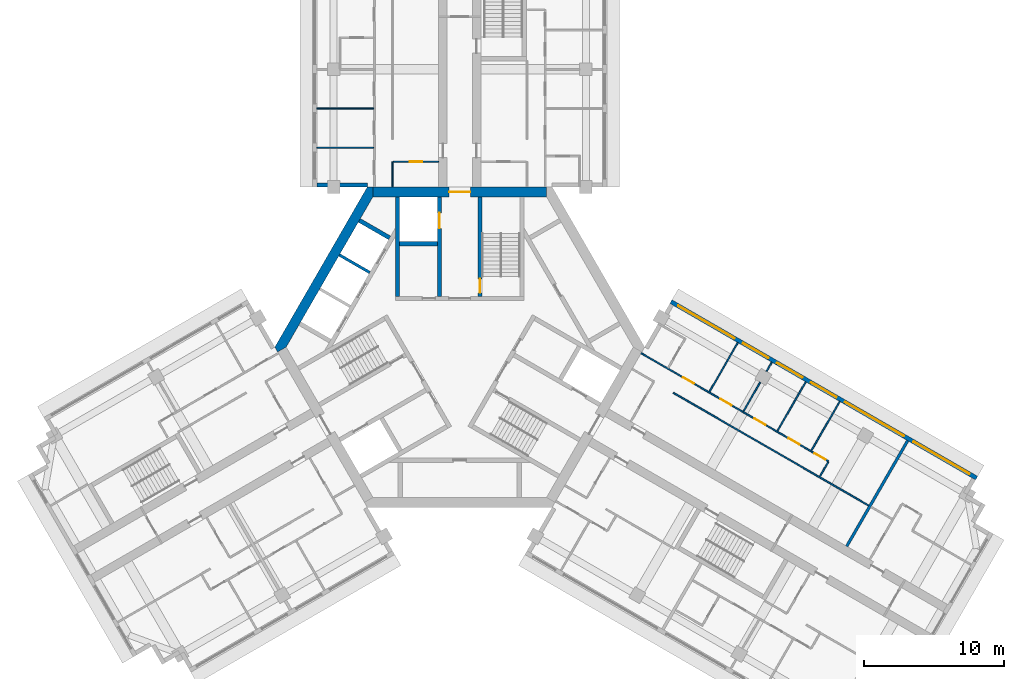
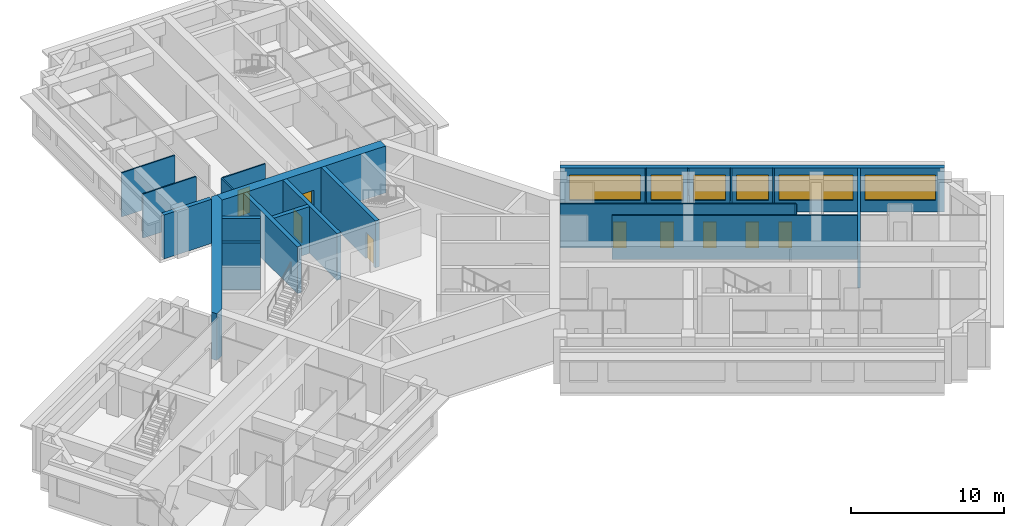
# One storey, part 6 of 10: 23 walls, 9 doors, 6 windows, 15 openings.
"""IFC4 building model written with IfcOpenShell, lengths in metres."""

from ifc_helpers import new_model, si_unit, direction, frame, frame_2d, origin, place, context, subcontext, project, spatial, polyline, rectangle, outline, extrude, material, layer, layer_set, type_object, element, fill, save


model = new_model("IFC4")

# Units and contexts
model_context = context("Model", 3, precision=1e-05, world=origin(), true_north=direction((0.0, 1.0)))
body_context = subcontext(model_context, "Body", "Model", "MODEL_VIEW")
ifc_project = project(units=[si_unit("LENGTHUNIT", "METRE"), si_unit("AREAUNIT", "SQUARE_METRE"), si_unit("VOLUMEUNIT", "CUBIC_METRE"), si_unit("PLANEANGLEUNIT", "RADIAN"), si_unit("MASSUNIT", "GRAM", prefix="KILO")], contexts=[model_context])

# Site, building, storey
site_placement = place(None, origin())
site = spatial("IfcSite", under=ifc_project, at=site_placement, CompositionType="ELEMENT")
building_placement = place(site_placement, origin())
building = spatial("IfcBuilding", under=site, at=building_placement, Name="Impinga Residences", CompositionType="ELEMENT")
storey_placement = place(building_placement, frame((0.0, 0.0, 229.75)))
storey = spatial("IfcBuildingStorey", under=building, at=storey_placement, Name="L57", CompositionType="ELEMENT", Elevation=229.75)

# Wall
ifc_material_1 = material(Name="Terracotta rainscreen on blockwork", Category="masonry")
ifc_layer_1 = layer(ifc_material_1, 0.300048828125)
ifc_layer_set_1 = layer_set([ifc_layer_1], Name="EW1 external wall, terracotta rainscreen on blockwork 300")
wall_type_1 = type_object("IfcWallType", Name="EW1 external wall, terracotta rainscreen on blockwork 300", PredefinedType="SOLIDWALL", material=ifc_layer_set_1)
wall_1_placement = place(storey_placement, frame((-6.60009765625, 11.58154296875, 0.0), z_axis=(0.0, 0.0, 1.0), x_axis=(-1.0, 0.0, 0.0)))
element("IfcWall", 1, at=wall_1_placement, inside=storey, type_object=wall_type_1, Name="External wall EW1 L57", PredefinedType="SOLIDWALL", context=body_context, shape_type="SweptSolid", body=[
    extrude(rectangle(XDim=3.599853515625, YDim=0.300048828125, at=frame_2d((1.7998046875, 0.0))), origin(), (0.0, 0.0, 1.0), 3.530029296875),
])

# Wall, openings, windows
wall_2_placement = place(storey_placement, frame((15.074951171875, 3.24755859375, 0.0), z_axis=(0.0, 0.0, 1.0), x_axis=(0.86602925447, -0.499993330357, 0.0)))
wall_2 = element("IfcWall", 2, at=wall_2_placement, inside=storey, type_object=wall_type_1, Name="External wall EW1 L57", PredefinedType="SOLIDWALL", context=body_context, shape_type="SweptSolid", body=[
    extrude(rectangle(XDim=25.199951171875, YDim=0.300048828125, at=frame_2d((12.60009765625, 0.0))), origin(), (0.0, 0.0, 1.0), 3.530029296875),
])
opening_1_placement = place(wall_2_placement, frame((0.60009765625, 0.0, 0.89990234375)))
opening_1 = element("IfcOpeningElement", 3, at=opening_1_placement, cuts=wall_2, Name="Opening W10", PredefinedType="OPENING", context=body_context, shape_type="SweptSolid", body=[
    extrude(rectangle(XDim=4.64990234375, YDim=2.050048828125, at=frame_2d((2.324951171875, 1.02490234375))), frame((0.0, 0.159912109375, 0.0), z_axis=(0.0, -1.0, 0.0), x_axis=(1.0, 0.0, 0.0)), (0.0, 0.0, 1.0), 0.320068359375),
])
opening_2_placement = place(wall_2_placement, frame((5.949951171875, 0.0, 0.89990234375)))
opening_2 = element("IfcOpeningElement", 4, at=opening_2_placement, cuts=wall_2, Name="Opening W9", PredefinedType="OPENING", context=body_context, shape_type="SweptSolid", body=[
    extrude(rectangle(XDim=2.10009765625, YDim=2.050048828125, at=frame_2d((1.050048828125, 1.02490234375))), frame((0.0, 0.159912109375, 0.0), z_axis=(0.0, -1.0, 0.0), x_axis=(1.0, 0.0, 0.0)), (0.0, 0.0, 1.0), 0.320068359375),
])
opening_3_placement = place(wall_2_placement, frame((8.75, 0.0, 0.89990234375)))
opening_3 = element("IfcOpeningElement", 5, at=opening_3_placement, cuts=wall_2, Name="Opening W9", PredefinedType="OPENING", context=body_context, shape_type="SweptSolid", body=[
    extrude(rectangle(XDim=2.10009765625, YDim=2.050048828125, at=frame_2d((1.050048828125, 1.02490234375))), frame((0.0, 0.159912109375, 0.0), z_axis=(0.0, -1.0, 0.0), x_axis=(1.0, 0.0, 0.0)), (0.0, 0.0, 1.0), 0.320068359375),
])
opening_4_placement = place(wall_2_placement, frame((11.550048828125, 0.0, 0.89990234375)))
opening_4 = element("IfcOpeningElement", 6, at=opening_4_placement, cuts=wall_2, Name="Opening W9", PredefinedType="OPENING", context=body_context, shape_type="SweptSolid", body=[
    extrude(rectangle(XDim=2.10009765625, YDim=2.050048828125, at=frame_2d((1.050048828125, 1.02490234375))), frame((0.0, 0.159912109375, 0.0), z_axis=(0.0, -1.0, 0.0), x_axis=(1.0, 0.0, 0.0)), (0.0, 0.0, 1.0), 0.320068359375),
])
opening_5_placement = place(wall_2_placement, frame((14.35009765625, 0.0, 0.89990234375)))
opening_5 = element("IfcOpeningElement", 7, at=opening_5_placement, cuts=wall_2, Name="Opening W6", PredefinedType="OPENING", context=body_context, shape_type="SweptSolid", body=[
    extrude(rectangle(XDim=4.85009765625, YDim=2.050048828125, at=frame_2d((2.425048828125, 1.02490234375))), frame((0.0, 0.159912109375, 0.0), z_axis=(0.0, -1.0, 0.0), x_axis=(1.0, 0.0, 0.0)), (0.0, 0.0, 1.0), 0.320068359375),
])
opening_6_placement = place(wall_2_placement, frame((20.0, 0.0, 0.89990234375)))
opening_6 = element("IfcOpeningElement", 8, at=opening_6_placement, cuts=wall_2, Name="Opening W3", PredefinedType="OPENING", context=body_context, shape_type="SweptSolid", body=[
    extrude(rectangle(XDim=4.60009765625, YDim=2.050048828125, at=frame_2d((2.300048828125, 1.02490234375))), frame((0.0, 0.159912109375, 0.0), z_axis=(0.0, -1.0, 0.0), x_axis=(1.0, 0.0, 0.0)), (0.0, 0.0, 1.0), 0.320068359375),
])
ifc_material_2 = material(Name="Aluminium window, clear double glazing", Category="aluminium")
window_type_1 = type_object("IfcWindowType", Name="W10 ribbon window 4650x2050", PartitioningType="SINGLE_PANEL", PredefinedType="WINDOW", material=ifc_material_2)
window_1_placement = place(opening_1_placement, origin())
window_1 = element("IfcWindow", 9, at=window_1_placement, inside=storey, type_object=window_type_1, Name="Window L57", OverallHeight=2.050048828125, OverallWidth=4.64990234375, PartitioningType="SINGLE_PANEL", PredefinedType="WINDOW", context=body_context, shape_type="SweptSolid", body=[
    extrude(rectangle(XDim=4.64990234375, YDim=2.050048828125, at=frame_2d((2.324951171875, 1.02490234375))), frame((0.0, 0.030029296875, 0.0), z_axis=(0.0, -1.0, 0.0), x_axis=(1.0, 0.0, 0.0)), (0.0, 0.0, 1.0), 0.06005859375),
])
fill(opening_1, window_1)
window_type_2 = type_object("IfcWindowType", Name="W3 ribbon window 4600x2050", PartitioningType="SINGLE_PANEL", PredefinedType="WINDOW", material=ifc_material_2)
window_2_placement = place(opening_6_placement, origin())
window_2 = element("IfcWindow", 10, at=window_2_placement, inside=storey, type_object=window_type_2, Name="Window L57", OverallHeight=2.050048828125, OverallWidth=4.60009765625, PartitioningType="SINGLE_PANEL", PredefinedType="WINDOW", context=body_context, shape_type="SweptSolid", body=[
    extrude(rectangle(XDim=4.60009765625, YDim=2.050048828125, at=frame_2d((2.300048828125, 1.02490234375))), frame((0.0, 0.030029296875, 0.0), z_axis=(0.0, -1.0, 0.0), x_axis=(1.0, 0.0, 0.0)), (0.0, 0.0, 1.0), 0.06005859375),
])
fill(opening_6, window_2)
window_type_3 = type_object("IfcWindowType", Name="W6 ribbon window 4850x2050", PartitioningType="SINGLE_PANEL", PredefinedType="WINDOW", material=ifc_material_2)
window_3_placement = place(opening_5_placement, origin())
window_3 = element("IfcWindow", 11, at=window_3_placement, inside=storey, type_object=window_type_3, Name="Window L57", OverallHeight=2.050048828125, OverallWidth=4.85009765625, PartitioningType="SINGLE_PANEL", PredefinedType="WINDOW", context=body_context, shape_type="SweptSolid", body=[
    extrude(rectangle(XDim=4.85009765625, YDim=2.050048828125, at=frame_2d((2.425048828125, 1.02490234375))), frame((0.0, 0.030029296875, 0.0), z_axis=(0.0, -1.0, 0.0), x_axis=(1.0, 0.0, 0.0)), (0.0, 0.0, 1.0), 0.06005859375),
])
fill(opening_5, window_3)
window_type_4 = type_object("IfcWindowType", Name="W9 ribbon window 2100x2050", PartitioningType="SINGLE_PANEL", PredefinedType="WINDOW", material=ifc_material_2)
window_4_placement = place(opening_2_placement, origin())
window_4 = element("IfcWindow", 12, at=window_4_placement, inside=storey, type_object=window_type_4, Name="Window L57", OverallHeight=2.050048828125, OverallWidth=2.10009765625, PartitioningType="SINGLE_PANEL", PredefinedType="WINDOW", context=body_context, shape_type="SweptSolid", body=[
    extrude(rectangle(XDim=2.10009765625, YDim=2.050048828125, at=frame_2d((1.050048828125, 1.02490234375))), frame((0.0, 0.030029296875, 0.0), z_axis=(0.0, -1.0, 0.0), x_axis=(1.0, 0.0, 0.0)), (0.0, 0.0, 1.0), 0.06005859375),
])
fill(opening_2, window_4)
window_5_placement = place(opening_3_placement, origin())
window_5 = element("IfcWindow", 13, at=window_5_placement, inside=storey, type_object=window_type_4, Name="Window L57", OverallHeight=2.050048828125, OverallWidth=2.10009765625, PartitioningType="SINGLE_PANEL", PredefinedType="WINDOW", context=body_context, shape_type="SweptSolid", body=[
    extrude(rectangle(XDim=2.10009765625, YDim=2.050048828125, at=frame_2d((1.050048828125, 1.02490234375))), frame((0.0, 0.030029296875, 0.0), z_axis=(0.0, -1.0, 0.0), x_axis=(1.0, 0.0, 0.0)), (0.0, 0.0, 1.0), 0.06005859375),
])
fill(opening_3, window_5)
window_6_placement = place(opening_4_placement, origin())
window_6 = element("IfcWindow", 14, at=window_6_placement, inside=storey, type_object=window_type_4, Name="Window L57", OverallHeight=2.050048828125, OverallWidth=2.10009765625, PartitioningType="SINGLE_PANEL", PredefinedType="WINDOW", context=body_context, shape_type="SweptSolid", body=[
    extrude(rectangle(XDim=2.10009765625, YDim=2.050048828125, at=frame_2d((1.050048828125, 1.02490234375))), frame((0.0, 0.030029296875, 0.0), z_axis=(0.0, -1.0, 0.0), x_axis=(1.0, 0.0, 0.0)), (0.0, 0.0, 1.0), 0.06005859375),
])
fill(opening_4, window_6)

# Wall
ifc_material_3 = material(Name="Gypsum board on steel studs", Category="steel")
ifc_layer_2 = layer(ifc_material_3, 0.10009765625)
ifc_layer_set_2 = layer_set([ifc_layer_2], Name="Gypsum board on steel studs")
wall_type_2 = type_object("IfcWallType", Name="IP1 partition 100", PredefinedType="PARTITIONING", material=ifc_layer_set_2)
wall_3_placement = place(storey_placement, frame((-4.800048828125, 11.431640625, 0.0), z_axis=(0.0, 0.0, 1.0), x_axis=(0.0, 1.0, 0.0)))
element("IfcWall", 15, at=wall_3_placement, inside=storey, type_object=wall_type_2, Name="Partition L57-NA1:DIV0", PredefinedType="PARTITIONING", context=body_context, shape_type="SweptSolid", body=[
    extrude(rectangle(XDim=1.7998046875, YDim=0.10009765625, at=frame_2d((0.89990234375, 0.0))), origin(), (0.0, 0.0, 1.0), 3.530029296875),
])

# Wall, opening, door
wall_4_placement = place(storey_placement, frame((-1.5, 13.2314453125, 0.0), z_axis=(0.0, 0.0, 1.0), x_axis=(-1.0, 0.0, 0.0)))
wall_4 = element("IfcWall", 16, at=wall_4_placement, inside=storey, type_object=wall_type_2, Name="Partition L57-NA1:IB1", PredefinedType="PARTITIONING", context=body_context, shape_type="SweptSolid", body=[
    extrude(rectangle(XDim=3.25, YDim=0.10009765625, at=frame_2d((1.625, 0.0))), origin(), (0.0, 0.0, 1.0), 3.530029296875),
])
opening_7_placement = place(wall_4_placement, frame((1.175048828125, 0.0, 0.0)))
opening_7 = element("IfcOpeningElement", 17, at=opening_7_placement, cuts=wall_4, Name="Opening D2", PredefinedType="OPENING", context=body_context, shape_type="SweptSolid", body=[
    extrude(rectangle(XDim=0.89990234375, YDim=2.10009765625, at=frame_2d((0.449951171875, 1.050048828125))), frame((0.0, 0.06005859375, 0.0), z_axis=(0.0, -1.0, 0.0), x_axis=(1.0, 0.0, 0.0)), (0.0, 0.0, 1.0), 0.1201171875),
])
ifc_material_4 = material(Name="Timber door set", Category="wood")
door_type_1 = type_object("IfcDoorType", Name="D2 internal door 900x2100", OperationType="SINGLE_SWING_LEFT", PredefinedType="DOOR", material=ifc_material_4)
door_1_placement = place(opening_7_placement, origin())
door_1 = element("IfcDoor", 18, at=door_1_placement, inside=storey, type_object=door_type_1, Name="Apartment L57-NA1 bathroom door", OperationType="SINGLE_SWING_LEFT", OverallHeight=2.10009765625, OverallWidth=0.89990234375, PredefinedType="DOOR", context=body_context, shape_type="SweptSolid", body=[
    extrude(rectangle(XDim=0.89990234375, YDim=2.10009765625, at=frame_2d((0.449951171875, 1.050048828125))), frame((0.0, 0.02490234375, 0.0), z_axis=(0.0, -1.0, 0.0), x_axis=(1.0, 0.0, 0.0)), (0.0, 0.0, 1.0), 0.050048828125),
])
fill(opening_7, door_1)

# Walls
for number, where, z_axis, x_axis, name in (
    (19, (-6.14990234375, 14.2314453125, 0.0), (0.0, 0.0, 1.0), (-1.0, 0.0, 0.0), "Partition L57-NA1:OB1"),
    (20, (-6.14990234375, 17.031494140625, 0.0), (0.0, 0.0, 1.0), (-1.0, 0.0, 0.0), "Partition L57-NA1:OB2"),
):
    element("IfcWall", number, at=place(storey_placement, frame(where, z_axis=z_axis, x_axis=x_axis)), inside=storey, type_object=wall_type_2, Name=name, PredefinedType="PARTITIONING", context=body_context, shape_type="SweptSolid", body=[
        extrude(rectangle(XDim=4.050048828125, YDim=0.10009765625, at=frame_2d((2.02490234375, 0.0))), origin(), (0.0, 0.0, 1.0), 3.530029296875),
    ])
wall_5_placement = place(storey_placement, frame((15.244384765625, -3.2587890625, 0.0), z_axis=(0.0, 0.0, 1.0), x_axis=(0.866025740127, -0.499999417437, 0.0)))
element("IfcWall", 21, at=wall_5_placement, inside=storey, type_object=wall_type_2, Name="Partition L57-EA1:DIV1", PredefinedType="PARTITIONING", context=body_context, shape_type="SweptSolid", body=[
    extrude(rectangle(XDim=16.10009765625, YDim=0.10009765625, at=frame_2d((8.050048828125, 0.0))), origin(), (0.0, 0.0, 1.0), 3.530029296875),
])

# Wall, openings, doors
wall_6_placement = place(storey_placement, frame((12.949951171875, -0.43310546875, 0.0), z_axis=(0.0, 0.0, 1.0), x_axis=(0.866030066916, -0.499991923133, 0.0)))
wall_6 = element("IfcWall", 22, at=wall_6_placement, inside=storey, type_object=wall_type_2, Name="Partition L57-EA1:STRIP", PredefinedType="PARTITIONING", context=body_context, shape_type="SweptSolid", body=[
    extrude(rectangle(XDim=15.449951171875, YDim=0.10009765625, at=frame_2d((7.72509765625, 0.0))), origin(), (0.0, 0.0, 1.0), 3.530029296875),
])
opening_8_placement = place(wall_6_placement, frame((3.449951171875, 0.0, 0.0)))
opening_8 = element("IfcOpeningElement", 23, at=opening_8_placement, cuts=wall_6, Name="Opening D2", PredefinedType="OPENING", context=body_context, shape_type="SweptSolid", body=[
    extrude(rectangle(XDim=0.89990234375, YDim=2.10009765625, at=frame_2d((0.449951171875, 1.050048828125))), frame((0.0, 0.06005859375, 0.0), z_axis=(0.0, -1.0, 0.0), x_axis=(1.0, 0.0, 0.0)), (0.0, 0.0, 1.0), 0.1201171875),
])
opening_9_placement = place(wall_6_placement, frame((6.550048828125, 0.0, 0.0)))
opening_9 = element("IfcOpeningElement", 24, at=opening_9_placement, cuts=wall_6, Name="Opening D2", PredefinedType="OPENING", context=body_context, shape_type="SweptSolid", body=[
    extrude(rectangle(XDim=0.89990234375, YDim=2.10009765625, at=frame_2d((0.449951171875, 1.050048828125))), frame((0.0, 0.06005859375, 0.0), z_axis=(0.0, -1.0, 0.0), x_axis=(1.0, 0.0, 0.0)), (0.0, 0.0, 1.0), 0.1201171875),
])
opening_10_placement = place(wall_6_placement, frame((9.35009765625, 0.0, 0.0)))
opening_10 = element("IfcOpeningElement", 25, at=opening_10_placement, cuts=wall_6, Name="Opening D2", PredefinedType="OPENING", context=body_context, shape_type="SweptSolid", body=[
    extrude(rectangle(XDim=0.89990234375, YDim=2.10009765625, at=frame_2d((0.449951171875, 1.050048828125))), frame((0.0, 0.06005859375, 0.0), z_axis=(0.0, -1.0, 0.0), x_axis=(1.0, 0.0, 0.0)), (0.0, 0.0, 1.0), 0.1201171875),
])
opening_11_placement = place(wall_6_placement, frame((12.14990234375, 0.0, 0.0)))
opening_11 = element("IfcOpeningElement", 26, at=opening_11_placement, cuts=wall_6, Name="Opening D2", PredefinedType="OPENING", context=body_context, shape_type="SweptSolid", body=[
    extrude(rectangle(XDim=0.89990234375, YDim=2.10009765625, at=frame_2d((0.449951171875, 1.050048828125))), frame((0.0, 0.06005859375, 0.0), z_axis=(0.0, -1.0, 0.0), x_axis=(1.0, 0.0, 0.0)), (0.0, 0.0, 1.0), 0.1201171875),
])
opening_12_placement = place(wall_6_placement, frame((14.300048828125, 0.0, 0.0)))
opening_12 = element("IfcOpeningElement", 27, at=opening_12_placement, cuts=wall_6, Name="Opening D2", PredefinedType="OPENING", context=body_context, shape_type="SweptSolid", body=[
    extrude(rectangle(XDim=0.89990234375, YDim=2.10009765625, at=frame_2d((0.449951171875, 1.050048828125))), frame((0.0, 0.06005859375, 0.0), z_axis=(0.0, -1.0, 0.0), x_axis=(1.0, 0.0, 0.0)), (0.0, 0.0, 1.0), 0.1201171875),
])
door_2_placement = place(opening_8_placement, origin())
door_2 = element("IfcDoor", 28, at=door_2_placement, inside=storey, type_object=door_type_1, Name="Apartment L57-EA1 room door", OperationType="SINGLE_SWING_LEFT", OverallHeight=2.10009765625, OverallWidth=0.89990234375, PredefinedType="DOOR", context=body_context, shape_type="SweptSolid", body=[
    extrude(rectangle(XDim=0.89990234375, YDim=2.10009765625, at=frame_2d((0.449951171875, 1.050048828125))), frame((0.0, 0.02490234375, 0.0), z_axis=(0.0, -1.0, 0.0), x_axis=(1.0, 0.0, 0.0)), (0.0, 0.0, 1.0), 0.050048828125),
])
fill(opening_8, door_2)
door_3_placement = place(opening_9_placement, origin())
door_3 = element("IfcDoor", 29, at=door_3_placement, inside=storey, type_object=door_type_1, Name="Apartment L57-EA1 room door", OperationType="SINGLE_SWING_LEFT", OverallHeight=2.10009765625, OverallWidth=0.89990234375, PredefinedType="DOOR", context=body_context, shape_type="SweptSolid", body=[
    extrude(rectangle(XDim=0.89990234375, YDim=2.10009765625, at=frame_2d((0.449951171875, 1.050048828125))), frame((0.0, 0.02490234375, 0.0), z_axis=(0.0, -1.0, 0.0), x_axis=(1.0, 0.0, 0.0)), (0.0, 0.0, 1.0), 0.050048828125),
])
fill(opening_9, door_3)
door_4_placement = place(opening_10_placement, origin())
door_4 = element("IfcDoor", 30, at=door_4_placement, inside=storey, type_object=door_type_1, Name="Apartment L57-EA1 room door", OperationType="SINGLE_SWING_RIGHT", OverallHeight=2.10009765625, OverallWidth=0.89990234375, PredefinedType="DOOR", context=body_context, shape_type="SweptSolid", body=[
    extrude(rectangle(XDim=0.89990234375, YDim=2.10009765625, at=frame_2d((0.449951171875, 1.050048828125))), frame((0.0, 0.02490234375, 0.0), z_axis=(0.0, -1.0, 0.0), x_axis=(1.0, 0.0, 0.0)), (0.0, 0.0, 1.0), 0.050048828125),
])
fill(opening_10, door_4)
door_5_placement = place(opening_11_placement, origin())
door_5 = element("IfcDoor", 31, at=door_5_placement, inside=storey, type_object=door_type_1, Name="Apartment L57-EA1 room door", OperationType="SINGLE_SWING_RIGHT", OverallHeight=2.10009765625, OverallWidth=0.89990234375, PredefinedType="DOOR", context=body_context, shape_type="SweptSolid", body=[
    extrude(rectangle(XDim=0.89990234375, YDim=2.10009765625, at=frame_2d((0.449951171875, 1.050048828125))), frame((0.0, 0.02490234375, 0.0), z_axis=(0.0, -1.0, 0.0), x_axis=(1.0, 0.0, 0.0)), (0.0, 0.0, 1.0), 0.050048828125),
])
fill(opening_11, door_5)
door_6_placement = place(opening_12_placement, origin())
door_6 = element("IfcDoor", 32, at=door_6_placement, inside=storey, type_object=door_type_1, Name="Apartment L57-EA1 room door", OperationType="SINGLE_SWING_RIGHT", OverallHeight=2.10009765625, OverallWidth=0.89990234375, PredefinedType="DOOR", context=body_context, shape_type="SweptSolid", body=[
    extrude(rectangle(XDim=0.89990234375, YDim=2.10009765625, at=frame_2d((0.449951171875, 1.050048828125))), frame((0.0, 0.02490234375, 0.0), z_axis=(0.0, -1.0, 0.0), x_axis=(1.0, 0.0, 0.0)), (0.0, 0.0, 1.0), 0.050048828125),
])
fill(opening_12, door_6)

# Walls
wall_7_placement = place(storey_placement, frame((25.705078125, -9.240478515625, 0.0), z_axis=(0.0, 0.0, 1.0), x_axis=(0.50012165622, 0.865955154139, 0.0)))
element("IfcWall", 33, at=wall_7_placement, inside=storey, type_object=wall_type_2, Name="Partition L57-EA1:SE1", PredefinedType="PARTITIONING", context=body_context, shape_type="SweptSolid", body=[
    extrude(rectangle(XDim=1.199951171875, YDim=0.10009765625, at=frame_2d((0.60009765625, 0.0))), origin(), (0.0, 0.0, 1.0), 3.530029296875),
])
wall_8_placement = place(storey_placement, frame((17.82470703125, -3.189697265625, 0.0), z_axis=(0.0, 0.0, 1.0), x_axis=(0.500035537042, 0.866004885491, 0.0)))
element("IfcWall", 34, at=wall_8_placement, inside=storey, type_object=wall_type_2, Name="Partition L57-EA1:OB1", PredefinedType="PARTITIONING", context=body_context, shape_type="SweptSolid", body=[
    extrude(rectangle(XDim=4.050048828125, YDim=0.10009765625, at=frame_2d((2.02490234375, 0.0))), origin(), (0.0, 0.0, 1.0), 3.530029296875),
])
wall_9_placement = place(storey_placement, frame((20.24951171875, -4.589599609375, 0.0), z_axis=(0.0, 0.0, 1.0), x_axis=(0.500077600433, 0.865980596518, 0.0)))
element("IfcWall", 35, at=wall_9_placement, inside=storey, type_object=wall_type_2, Name="Partition L57-EA1:OB2", PredefinedType="PARTITIONING", context=body_context, shape_type="SweptSolid", body=[
    extrude(rectangle(XDim=2.39990234375, YDim=0.10009765625, at=frame_2d((1.199951171875, 0.0))), origin(), (0.0, 0.0, 1.0), 2.47998046875),
])
wall_10_placement = place(storey_placement, frame((21.899658203125, -1.73193359375, 0.0), z_axis=(0.0, 0.0, 1.0), x_axis=(0.499919672301, 0.866071776036, 0.0)))
element("IfcWall", 36, at=wall_10_placement, inside=storey, type_object=wall_type_2, Name="Partition L57-EA1:OB2b", PredefinedType="PARTITIONING", context=body_context, shape_type="SweptSolid", body=[
    extrude(rectangle(XDim=0.75, YDim=0.10009765625, at=frame_2d((0.375, 0.0))), origin(), (0.0, 0.0, 1.0), 3.530029296875),
])
for number, where, z_axis, x_axis, name in (
    (37, (22.674560546875, -5.98974609375, 0.0), (0.0, 0.0, 1.0), (0.499990325971, 0.866030989016, 0.0), "Partition L57-EA1:OB3"),
    (38, (25.099365234375, -7.3896484375, 0.0), (0.0, 0.0, 1.0), (0.499990325971, 0.866030989016, 0.0), "Partition L57-EA1:OB4"),
):
    element("IfcWall", number, at=place(storey_placement, frame(where, z_axis=z_axis, x_axis=x_axis)), inside=storey, type_object=wall_type_2, Name=name, PredefinedType="PARTITIONING", context=body_context, shape_type="SweptSolid", body=[
        extrude(rectangle(XDim=4.0498046875, YDim=0.10009765625, at=frame_2d((2.02490234375, 0.0))), origin(), (0.0, 0.0, 1.0), 3.530029296875),
    ])
ifc_material_5 = material(Name="Concrete blockwork", Category="masonry")
ifc_layer_3 = layer(ifc_material_5, 0.199951171875)
ifc_layer_set_3 = layer_set([ifc_layer_3], Name="PW1 party wall between apartments 200")
wall_type_3 = type_object("IfcWallType", Name="PW1 party wall between apartments 200", PredefinedType="SOLIDWALL", material=ifc_layer_set_3)
wall_11_placement = place(storey_placement, frame((27.6240234375, -14.216796875, 0.0), z_axis=(0.0, 0.0, 1.0), x_axis=(0.500008278454, 0.866020624164, 0.0)))
element("IfcWall", 39, at=wall_11_placement, inside=storey, type_object=wall_type_3, Name="Party wall between apartments L57-EA1:PARTY", PredefinedType="SOLIDWALL", context=body_context, shape_type="SweptSolid", body=[
    extrude(rectangle(XDim=8.699951171875, YDim=0.199951171875, at=frame_2d((4.35009765625, 0.0))), origin(), (0.0, 0.0, 1.0), 3.530029296875),
])

# Wall, opening, door
ifc_material_6 = material(Name="Concrete C60/75", Category="concrete")
ifc_layer_4 = layer(ifc_material_6, 0.699951171875)
ifc_layer_set_4 = layer_set([ifc_layer_4], Name="Concrete C60/75")
wall_type_4 = type_object("IfcWallType", Name="SW3 core wall 700", PredefinedType="SHEAR", material=ifc_layer_set_4)
wall_12_placement = place(storey_placement, frame((-6.19580078125, 11.08154296875, 0.0), z_axis=(0.0, 0.0, 1.0), x_axis=(1.0, 0.0, 0.0)))
wall_12 = element("IfcWall", 40, at=wall_12_placement, inside=storey, type_object=wall_type_4, Name="Core wall SW3 N:FACE L57", PredefinedType="SHEAR", context=body_context, shape_type="SweptSolid", body=[
    extrude(rectangle(XDim=12.3916015625, YDim=0.699951171875, at=frame_2d((6.19580078125, 0.0))), origin(), (0.0, 0.0, 1.0), 3.75),
])
opening_13_placement = place(wall_12_placement, frame((5.44580078125, 0.0, 0.0)))
opening_13 = element("IfcOpeningElement", 41, at=opening_13_placement, cuts=wall_12, Name="Opening D4", PredefinedType="OPENING", context=body_context, shape_type="SweptSolid", body=[
    extrude(rectangle(XDim=1.5, YDim=2.10009765625, at=frame_2d((0.75, 1.050048828125))), frame((0.0, 0.35986328125, 0.0), z_axis=(0.0, -1.0, 0.0), x_axis=(1.0, 0.0, 0.0)), (0.0, 0.0, 1.0), 0.719970703125),
])
door_type_2 = type_object("IfcDoorType", Name="D4 lobby door pair 1500x2100", OperationType="DOUBLE_DOOR_DOUBLE_SWING", PredefinedType="DOOR", material=ifc_material_4)
door_7_placement = place(opening_13_placement, origin())
door_7 = element("IfcDoor", 42, at=door_7_placement, inside=storey, type_object=door_type_2, Name="Lobby door N", OperationType="DOUBLE_DOOR_DOUBLE_SWING", OverallHeight=2.10009765625, OverallWidth=1.5, PredefinedType="DOOR", context=body_context, shape_type="SweptSolid", body=[
    extrude(rectangle(XDim=1.5, YDim=2.10009765625, at=frame_2d((0.75, 1.050048828125))), frame((0.0, 0.02490234375, 0.0), z_axis=(0.0, -1.0, 0.0), x_axis=(1.0, 0.0, 0.0)), (0.0, 0.0, 1.0), 0.050048828125),
])
fill(opening_13, door_7)

# Wall
wall_13_placement = place(storey_placement, origin())
element("IfcWall", 43, at=wall_13_placement, inside=storey, type_object=wall_type_4, Name="Core wall SW3 E:EXPOSED L57", PredefinedType="SHEAR", context=body_context, shape_type="SweptSolid", body=[
    extrude(outline(polyline([(-6.60009765625, 11.431640625), (-13.199951171875, 0.0), (-12.998046875, -0.35009765625), (-12.3916015625, 0.0), (-6.19580078125, 10.7314453125), (-6.19580078125, 11.431640625), (-6.60009765625, 11.431640625)])), origin(), (0.0, 0.0, 1.0), 3.75),
])

# Wall, opening, door
ifc_material_7 = material(Name="Concrete C70/85", Category="concrete")
ifc_layer_5 = layer(ifc_material_7, 0.300048828125)
ifc_layer_set_5 = layer_set([ifc_layer_5], Name="Concrete C70/85")
wall_type_5 = type_object("IfcWallType", Name="SW5 core inner wall, stairs, shafts and lobbies 300", PredefinedType="SHEAR", material=ifc_layer_set_5)
wall_14_placement = place(storey_placement, frame((1.449951171875, 3.6298828125, 0.0), z_axis=(0.0, 0.0, 1.0), x_axis=(0.0, 1.0, 0.0)))
wall_14 = element("IfcWall", 44, at=wall_14_placement, inside=storey, type_object=wall_type_5, Name="Core wall SW5 N:ST-IN L57", PredefinedType="SHEAR", context=body_context, shape_type="SweptSolid", body=[
    extrude(rectangle(XDim=7.1015625, YDim=0.300048828125, at=frame_2d((3.55078125, 0.0))), origin(), (0.0, 0.0, 1.0), 3.75),
])
opening_14_placement = place(wall_14_placement, frame((0.25, 0.0, 0.0)))
opening_14 = element("IfcOpeningElement", 45, at=opening_14_placement, cuts=wall_14, Name="Opening D5", PredefinedType="OPENING", context=body_context, shape_type="SweptSolid", body=[
    extrude(rectangle(XDim=1.0, YDim=2.10009765625, at=frame_2d((0.5, 1.050048828125))), frame((0.0, 0.159912109375, 0.0), z_axis=(0.0, -1.0, 0.0), x_axis=(1.0, 0.0, 0.0)), (0.0, 0.0, 1.0), 0.320068359375),
])
door_type_3 = type_object("IfcDoorType", Name="D5 stair door 1000x2100", OperationType="SINGLE_SWING_LEFT", PredefinedType="DOOR", material=ifc_material_4)
door_8_placement = place(opening_14_placement, origin())
door_8 = element("IfcDoor", 46, at=door_8_placement, inside=storey, type_object=door_type_3, Name="Stair door N", OperationType="SINGLE_SWING_LEFT", OverallHeight=2.10009765625, OverallWidth=1.0, PredefinedType="DOOR", context=body_context, shape_type="SweptSolid", body=[
    extrude(rectangle(XDim=1.0, YDim=2.10009765625, at=frame_2d((0.5, 1.050048828125))), frame((0.0, 0.02490234375, 0.0), z_axis=(0.0, -1.0, 0.0), x_axis=(1.0, 0.0, 0.0)), (0.0, 0.0, 1.0), 0.050048828125),
])
fill(opening_14, door_8)

wall_15_placement = place(storey_placement, frame((-1.449951171875, 3.6298828125, 0.0), z_axis=(0.0, 0.0, 1.0), x_axis=(0.0, 1.0, 0.0)))
wall_15 = element("IfcWall", 47, at=wall_15_placement, inside=storey, type_object=wall_type_5, Name="Core wall SW5 N:FF-IN L57", PredefinedType="SHEAR", context=body_context, shape_type="SweptSolid", body=[
    extrude(rectangle(XDim=7.1015625, YDim=0.300048828125, at=frame_2d((3.55078125, 0.0))), origin(), (0.0, 0.0, 1.0), 3.75),
])
opening_15_placement = place(wall_15_placement, frame((4.85009765625, 0.0, 0.0)))
opening_15 = element("IfcOpeningElement", 48, at=opening_15_placement, cuts=wall_15, Name="Opening LD2", PredefinedType="OPENING", context=body_context, shape_type="SweptSolid", body=[
    extrude(rectangle(XDim=1.10009765625, YDim=2.10009765625, at=frame_2d((0.550048828125, 1.050048828125))), frame((0.0, 0.159912109375, 0.0), z_axis=(0.0, -1.0, 0.0), x_axis=(1.0, 0.0, 0.0)), (0.0, 0.0, 1.0), 0.320068359375),
])
ifc_material_8 = material(Name="Steel lift landing door", Category="steel")
door_type_4 = type_object("IfcDoorType", Name="LD2 firefighting lift landing door 1100x2100", OperationType="DOUBLE_DOOR_SLIDING", PredefinedType="DOOR", material=ifc_material_8)
door_9_placement = place(opening_15_placement, origin())
door_9 = element("IfcDoor", 49, at=door_9_placement, inside=storey, type_object=door_type_4, Name="Firefighting lift landing door F1", OperationType="DOUBLE_DOOR_SLIDING", OverallHeight=2.10009765625, OverallWidth=1.10009765625, PredefinedType="DOOR", context=body_context, shape_type="SweptSolid", body=[
    extrude(rectangle(XDim=1.10009765625, YDim=2.10009765625, at=frame_2d((0.550048828125, 1.050048828125))), frame((0.0, 0.02490234375, 0.0), z_axis=(0.0, -1.0, 0.0), x_axis=(1.0, 0.0, 0.0)), (0.0, 0.0, 1.0), 0.050048828125),
])
fill(opening_15, door_9)

# Walls
wall_16_placement = place(storey_placement, frame((-4.449951171875, 3.6298828125, 0.0), z_axis=(0.0, 0.0, 1.0), x_axis=(0.0, 1.0, 0.0)))
element("IfcWall", 50, at=wall_16_placement, inside=storey, type_object=wall_type_5, Name="Core wall SW5 N:FF-OUT L57", PredefinedType="SHEAR", context=body_context, shape_type="SweptSolid", body=[
    extrude(rectangle(XDim=7.1015625, YDim=0.300048828125, at=frame_2d((3.55078125, 0.0))), origin(), (0.0, 0.0, 1.0), 3.75),
])
wall_17_placement = place(storey_placement, frame((-4.300048828125, 7.3798828125, 0.0), z_axis=(0.0, 0.0, 1.0), x_axis=(1.0, 0.0, 0.0)))
element("IfcWall", 51, at=wall_17_placement, inside=storey, type_object=wall_type_5, Name="Core wall SW5 N:FF-RS L57", PredefinedType="SHEAR", context=body_context, shape_type="SweptSolid", body=[
    extrude(rectangle(XDim=2.699951171875, YDim=0.300048828125, at=frame_2d((1.35009765625, 0.0))), origin(), (0.0, 0.0, 1.0), 3.75),
])
wall_18_placement = place(storey_placement, frame((-5.003662109375, 7.79638671875, 0.0), z_axis=(0.0, 0.0, 1.0), x_axis=(-0.866022959057, 0.500004234368, 0.0)))
element("IfcWall", 52, at=wall_18_placement, inside=storey, type_object=wall_type_5, Name="Core wall SW5 E:BANK-R L57", PredefinedType="SHEAR", context=body_context, shape_type="SweptSolid", body=[
    extrude(rectangle(XDim=2.5, YDim=0.300048828125, at=frame_2d((1.25, 0.0))), origin(), (0.0, 0.0, 1.0), 3.75),
])
ifc_layer_6 = layer(ifc_material_7, 0.199951171875)
ifc_layer_set_6 = layer_set([ifc_layer_6], Name="Concrete C70/85")
wall_type_6 = type_object("IfcWallType", Name="SW6 lift shaft divider wall 200", PredefinedType="SHEAR", material=ifc_layer_set_6)
wall_19_placement = place(storey_placement, frame((-6.4287109375, 5.328125, 0.0), z_axis=(0.0, 0.0, 1.0), x_axis=(-0.866022959057, 0.500004234368, 0.0)))
element("IfcWall", 53, at=wall_19_placement, inside=storey, type_object=wall_type_6, Name="Core wall SW6 E:BANK-D2 L57", PredefinedType="SHEAR", context=body_context, shape_type="SweptSolid", body=[
    extrude(rectangle(XDim=2.5, YDim=0.199951171875, at=frame_2d((1.25, 0.0))), origin(), (0.0, 0.0, 1.0), 3.75),
])

save(model, "model.ifc")
